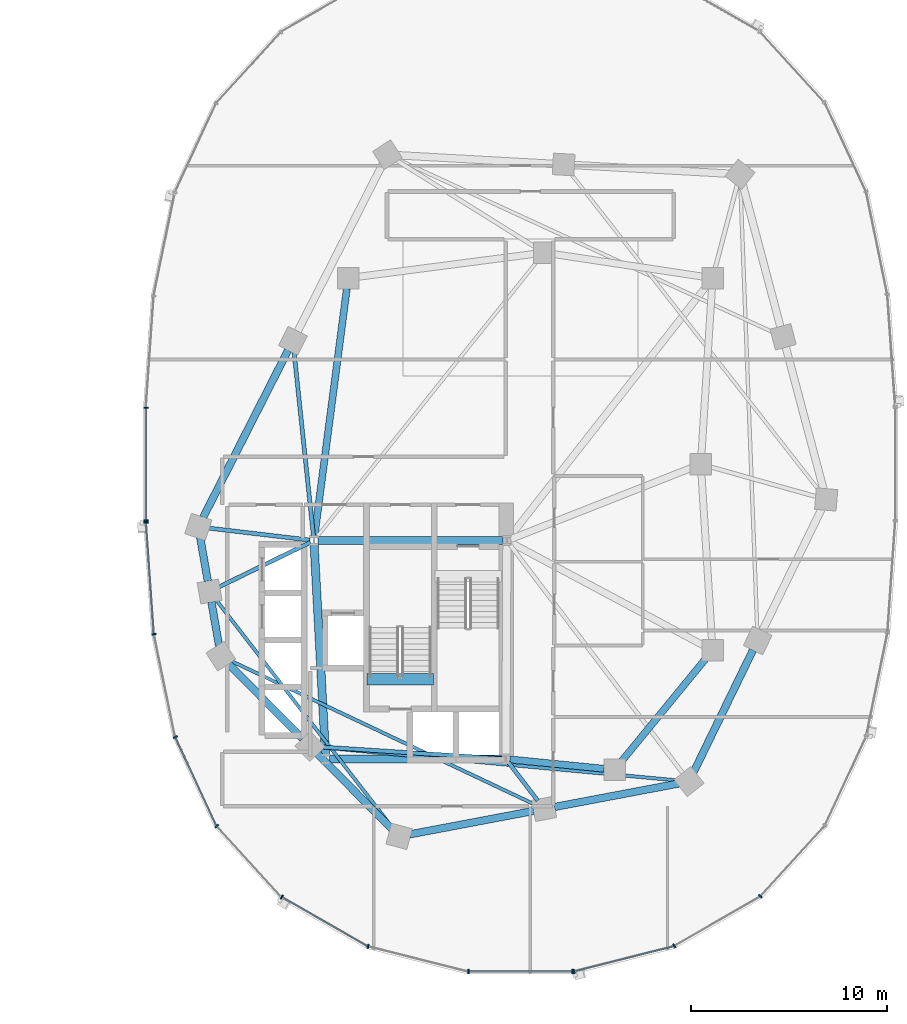
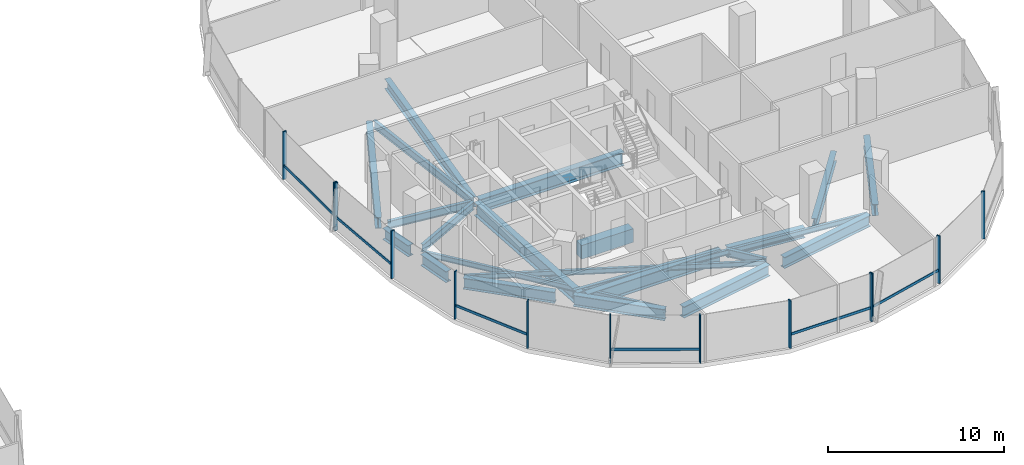
# One storey, part 5 of 21: 23 beams, 19 members, 3 elements without a shape of their own.
"""IFC4 building model written with IfcOpenShell, lengths in metres."""

from ifc_helpers import new_model, si_unit, direction, frame, origin, origin_2d, place, context, subcontext, project, spatial, rectangle, i_section, extrude, material, material_profile, profile_set, type_object, element, aggregate, save


model = new_model("IFC4")

# Units and contexts
model_context = context("Model", 3, precision=1e-05, world=origin(), true_north=direction((0.0, 1.0)))
body_context = subcontext(model_context, "Body", "Model", "MODEL_VIEW")
ifc_project = project(units=[si_unit("LENGTHUNIT", "METRE"), si_unit("AREAUNIT", "SQUARE_METRE"), si_unit("VOLUMEUNIT", "CUBIC_METRE"), si_unit("PLANEANGLEUNIT", "RADIAN"), si_unit("MASSUNIT", "GRAM", prefix="KILO"), si_unit("THERMODYNAMICTEMPERATUREUNIT", "KELVIN"), si_unit("POWERUNIT", "WATT")], contexts=[model_context])

# Site, building, storey
site_placement = place(None, origin())
site = spatial("IfcSite", under=ifc_project, at=site_placement, CompositionType="ELEMENT")
building_placement = place(site_placement, origin())
building = spatial("IfcBuilding", under=site, at=building_placement, Name="Cundina Bronze Exchange", CompositionType="ELEMENT")
storey_placement = place(building_placement, frame((0.0, 0.0, 114.199951171875)))
storey = spatial("IfcBuildingStorey", under=building, at=storey_placement, Name="L29", CompositionType="ELEMENT", Elevation=114.199951171875)

# Beams
ifc_material_1 = material(Name="Concrete C60/75", Category="concrete")
ifc_material_profile_1 = material_profile(ifc_material_1, rectangle(XDim=0.60009765625, YDim=0.949951171875, at=origin_2d()), Name="RC600X950", Category="concrete")
ifc_profile_set_1 = profile_set([ifc_material_profile_1], Name="Concrete C60/75")
beam_type_1 = type_object("IfcBeamType", Name="BM-COUP-RC950", PredefinedType="LINTEL", material=ifc_profile_set_1)
beam_1_placement = place(storey_placement, frame((24.159912109375, -10.97998046875, -0.474853515625), z_axis=(1.0, 0.0, 0.0), x_axis=(0.0, 1.0, 0.0)))
element("IfcBeam", 1, at=beam_1_placement, inside=storey, type_object=beam_type_1, Name="L29 Stair E2 Landing Header Beam", PredefinedType="LINTEL", context=body_context, shape_type="SweptSolid", body=[
    extrude(rectangle(XDim=0.60009765625, YDim=0.949951171875, at=origin_2d()), origin(), (0.0, 0.0, 1.0), 3.400146484375),
])
ifc_material_2 = material(Name="Steel ASTM A992 Grade 50", Category="steel")
ifc_material_profile_2 = material_profile(ifc_material_2, i_section(OverallWidth=0.2099609375, OverallDepth=0.532958984375, WebThickness=0.01025390625, FlangeThickness=0.015625, FilletRadius=0.013916015625, at=origin_2d()), Name="W21X62", Category="steel")
ifc_profile_set_2 = profile_set([ifc_material_profile_2], Name="Steel ASTM A992 Grade 50")
beam_type_2 = type_object("IfcBeamType", Name="BM-FLR-W21B", PredefinedType="BEAM", material=ifc_profile_set_2)
beam_2_placement = place(storey_placement, frame((21.247314453125, -3.8759765625, -0.56640625), z_axis=(-0.993035701683, 0.117813815752, 0.0), x_axis=(-0.117813815752, -0.993035701683, 0.0)))
element("IfcBeam", 2, at=beam_2_placement, inside=storey, type_object=beam_type_2, Name="L29 Leg E Chordal Floor Beam 00", PredefinedType="BEAM", context=body_context, shape_type="SweptSolid", body=[
    extrude(i_section(OverallWidth=0.2099609375, OverallDepth=0.532958984375, WebThickness=0.01025390625, FlangeThickness=0.015625, FilletRadius=0.013916015625, at=origin_2d()), origin(), (0.0, 0.0, 1.0), 5.19921875),
])
beam_3_placement = place(storey_placement, frame((21.2666015625, -3.989501953125, -0.56640625), z_axis=(-0.898607246385, -0.438753936443, 0.0), x_axis=(0.438753936443, -0.898607246385, 0.0)))
element("IfcBeam", 3, at=beam_3_placement, inside=storey, type_object=beam_type_2, Name="L29 Leg E Chordal Floor Beam 01", PredefinedType="BEAM", context=body_context, shape_type="SweptSolid", body=[
    extrude(i_section(OverallWidth=0.2099609375, OverallDepth=0.532958984375, WebThickness=0.01025390625, FlangeThickness=0.015625, FilletRadius=0.013916015625, at=origin_2d()), origin(), (0.0, 0.0, 1.0), 5.183837890625),
])
beam_4_placement = place(storey_placement, frame((31.04638671875, -15.036865234375, -0.56640625), z_axis=(-0.997892901568, 0.064882640211, 0.0), x_axis=(-0.064882640211, -0.997892901568, 0.0)))
element("IfcBeam", 4, at=beam_4_placement, inside=storey, type_object=beam_type_2, Name="L29 Leg E Chordal Floor Beam 03", PredefinedType="BEAM", context=body_context, shape_type="SweptSolid", body=[
    extrude(i_section(OverallWidth=0.2099609375, OverallDepth=0.532958984375, WebThickness=0.01025390625, FlangeThickness=0.015625, FilletRadius=0.013916015625, at=origin_2d()), origin(), (0.0, 0.0, 1.0), 9.279052734375),
])
beam_5_placement = place(storey_placement, frame((31.373779296875, -15.2119140625, -0.56640625), z_axis=(0.607490490457, -0.79432695032, 0.0), x_axis=(0.79432695032, 0.607490490457, 0.0)))
element("IfcBeam", 5, at=beam_5_placement, inside=storey, type_object=beam_type_2, Name="L29 Leg E Chordal Floor Beam 05", PredefinedType="BEAM", context=body_context, shape_type="SweptSolid", body=[
    extrude(i_section(OverallWidth=0.2099609375, OverallDepth=0.532958984375, WebThickness=0.01025390625, FlangeThickness=0.015625, FilletRadius=0.013916015625, at=origin_2d()), origin(), (0.0, 0.0, 1.0), 2.46826171875),
])
beam_6_placement = place(storey_placement, frame((21.4287109375, -3.697021484375, -0.56640625), z_axis=(-0.104822364957, 0.994490961148, 0.0), x_axis=(-0.994490961148, -0.104822364957, 0.0)))
element("IfcBeam", 6, at=beam_6_placement, inside=storey, type_object=beam_type_2, Name="L29 Leg E Chordal Floor Beam 13", PredefinedType="BEAM", context=body_context, shape_type="SweptSolid", body=[
    extrude(i_section(OverallWidth=0.2099609375, OverallDepth=0.532958984375, WebThickness=0.01025390625, FlangeThickness=0.015625, FilletRadius=0.013916015625, at=origin_2d()), origin(), (0.0, 0.0, 1.0), 9.514404296875),
])
ifc_material_profile_3 = material_profile(ifc_material_2, i_section(OverallWidth=0.172119140625, OverallDepth=0.35791015625, WebThickness=0.0078125, FlangeThickness=0.01318359375, FilletRadius=0.010009765625, at=origin_2d()), Name="W14X38", Category="steel")
ifc_profile_set_3 = profile_set([ifc_material_profile_3], Name="Steel ASTM A992 Grade 50")
beam_type_3 = type_object("IfcBeamType", Name="BM-JST-W14", PredefinedType="JOIST", material=ifc_profile_set_3)
beam_7_placement = place(storey_placement, frame((16.454345703125, -6.92529296875, -0.47900390625), z_axis=(0.612065218806, -0.790807288742, 0.0), x_axis=(0.790807288742, 0.612065218806, 0.0)))
element("IfcBeam", 7, at=beam_7_placement, inside=storey, type_object=beam_type_3, Name="L29 Leg E Lobe Floor Joist 01-04", PredefinedType="JOIST", context=body_context, shape_type="SweptSolid", body=[
    extrude(i_section(OverallWidth=0.172119140625, OverallDepth=0.35791015625, WebThickness=0.0078125, FlangeThickness=0.01318359375, FilletRadius=0.010009765625, at=origin_2d()), origin(), (0.0, 0.0, 1.0), 14.73095703125),
])
beam_8_placement = place(storey_placement, frame((17.186279296875, -10.02978515625, -0.47900390625), z_axis=(0.904069270633, -0.427385954259, 0.0), x_axis=(0.427385954259, 0.904069270633, 0.0)))
element("IfcBeam", 8, at=beam_8_placement, inside=storey, type_object=beam_type_3, Name="L29 Leg E Lobe Floor Joist 02-05", PredefinedType="JOIST", context=body_context, shape_type="SweptSolid", body=[
    extrude(i_section(OverallWidth=0.172119140625, OverallDepth=0.35791015625, WebThickness=0.0078125, FlangeThickness=0.01318359375, FilletRadius=0.010009765625, at=origin_2d()), origin(), (0.0, 0.0, 1.0), 17.175048828125),
])
beam_9_placement = place(storey_placement, frame((21.78564453125, -14.44970703125, -0.47900390625), z_axis=(0.995700674022, -0.092629194921, 0.0), x_axis=(0.092629194921, 0.995700674022, 0.0)))
element("IfcBeam", 9, at=beam_9_placement, inside=storey, type_object=beam_type_3, Name="L29 Leg E Lobe Floor Joist 03-06", PredefinedType="JOIST", context=body_context, shape_type="SweptSolid", body=[
    extrude(i_section(OverallWidth=0.172119140625, OverallDepth=0.35791015625, WebThickness=0.0078125, FlangeThickness=0.01318359375, FilletRadius=0.010009765625, at=origin_2d()), origin(), (0.0, 0.0, 1.0), 18.357421875),
])
ifc_material_profile_4 = material_profile(ifc_material_2, i_section(OverallWidth=0.35498046875, OverallDepth=0.695068359375, WebThickness=0.015380859375, FlangeThickness=0.02490234375, FilletRadius=0.01806640625, at=origin_2d()), Name="W27X146", Category="steel")
ifc_profile_set_4 = profile_set([ifc_material_profile_4], Name="Steel ASTM A992 Grade 50")
beam_type_4 = type_object("IfcBeamType", Name="BM-RING-W27", PredefinedType="USERDEFINED", material=ifc_profile_set_4)
beam_10_placement = place(storey_placement, frame((31.452880859375, -15.070068359375, -0.6474609375), z_axis=(0.995126271817, -0.098608839051, 0.0), x_axis=(0.098608839051, 0.995126271817, 0.0)))
element("IfcBeam", 10, at=beam_10_placement, inside=storey, type_object=beam_type_4, Name="L29 E Inner Structural Ring Girder 01", ObjectType="GIRDER", PredefinedType="USERDEFINED", context=body_context, shape_type="SweptSolid", body=[
    extrude(i_section(OverallWidth=0.35498046875, OverallDepth=0.695068359375, WebThickness=0.015380859375, FlangeThickness=0.02490234375, FilletRadius=0.01806640625, at=origin_2d()), origin(), (0.0, 0.0, 1.0), 4.83544921875),
])
beam_11_placement = place(storey_placement, frame((37.14111328125, -15.183837890625, -0.6474609375), z_axis=(0.633926549035, 0.773393257295, 0.0), x_axis=(-0.773393257295, 0.633926549035, 0.0)))
element("IfcBeam", 11, at=beam_11_placement, inside=storey, type_object=beam_type_4, Name="L29 E Inner Structural Ring Girder 02", ObjectType="GIRDER", PredefinedType="USERDEFINED", context=body_context, shape_type="SweptSolid", body=[
    extrude(i_section(OverallWidth=0.35498046875, OverallDepth=0.695068359375, WebThickness=0.015380859375, FlangeThickness=0.02490234375, FilletRadius=0.01806640625, at=origin_2d()), origin(), (0.0, 0.0, 1.0), 6.811279296875),
])
beam_12_placement = place(storey_placement, frame((23.13037109375, 8.966552734375, -0.6474609375), z_axis=(-0.129507526533, -0.99157843894, 0.0), x_axis=(0.99157843894, -0.129507526533, 0.0)))
element("IfcBeam", 12, at=beam_12_placement, inside=storey, type_object=beam_type_4, Name="L29 E Inner Structural Ring Girder 07", ObjectType="GIRDER", PredefinedType="USERDEFINED", context=body_context, shape_type="SweptSolid", body=[
    extrude(i_section(OverallWidth=0.35498046875, OverallDepth=0.695068359375, WebThickness=0.015380859375, FlangeThickness=0.02490234375, FilletRadius=0.01806640625, at=origin_2d()), origin(), (0.0, 0.0, 1.0), 12.77197265625),
])
ifc_material_profile_5 = material_profile(ifc_material_2, i_section(OverallWidth=0.381103515625, OverallDepth=0.77294921875, WebThickness=0.0166015625, FlangeThickness=0.027099609375, FilletRadius=0.01904296875, at=origin_2d()), Name="W30X173", Category="steel")
ifc_profile_set_5 = profile_set([ifc_material_profile_5], Name="Steel ASTM A992 Grade 50")
beam_type_5 = type_object("IfcBeamType", Name="BM-RING-W30", PredefinedType="USERDEFINED", material=ifc_profile_set_5)
for number, where, z_axis, x_axis, name in (
    (13, (15.642333984375, -3.72998046875, -0.6865234375), (0.171690078326, -0.985151012284, 0.0), (0.985151012284, 0.171690078326, 0.0), "L29 E Perimeter Ring Girder 00"),
    (14, (16.21728515625, -7.030029296875, -0.6865234375), (0.171690078326, -0.985151012284, 0.0), (0.985151012284, 0.171690078326, 0.0), "L29 E Perimeter Ring Girder 01"),
):
    element("IfcBeam", number, at=place(storey_placement, frame(where, z_axis=z_axis, x_axis=x_axis)), inside=storey, type_object=beam_type_5, Name=name, ObjectType="GIRDER", PredefinedType="USERDEFINED", context=body_context, shape_type="SweptSolid", body=[
        extrude(i_section(OverallWidth=0.381103515625, OverallDepth=0.77294921875, WebThickness=0.0166015625, FlangeThickness=0.027099609375, FilletRadius=0.01904296875, at=origin_2d()), origin(), (0.0, 0.0, 1.0), 2.273681640625),
    ])
for number, where, z_axis, x_axis, name in (
    (15, (17.078369140625, -10.1826171875, -0.6865234375), (0.703226342126, -0.7109660412, 0.0), (0.7109660412, 0.703226342126, 0.0), "L29 E Perimeter Ring Girder 02"),
    (16, (21.62841796875, -14.782470703125, -0.6865234375), (0.703226342126, -0.7109660412, 0.0), (0.7109660412, 0.703226342126, 0.0), "L29 E Perimeter Ring Girder 03"),
):
    element("IfcBeam", number, at=place(storey_placement, frame(where, z_axis=z_axis, x_axis=x_axis)), inside=storey, type_object=beam_type_5, Name=name, ObjectType="GIRDER", PredefinedType="USERDEFINED", context=body_context, shape_type="SweptSolid", body=[
        extrude(i_section(OverallWidth=0.381103515625, OverallDepth=0.77294921875, WebThickness=0.0166015625, FlangeThickness=0.027099609375, FilletRadius=0.01904296875, at=origin_2d()), origin(), (0.0, 0.0, 1.0), 5.39404296875),
    ])
for number, where, z_axis, x_axis, name in (
    (17, (26.32861328125, -18.89990234375, -0.6865234375), (0.98257117919, 0.185886733861, 0.0), (-0.185886733861, 0.98257117919, 0.0), "L29 E Perimeter Ring Girder 04"),
    (18, (33.728515625, -17.5, -0.6865234375), (0.98257117919, 0.185886733861, 0.0), (-0.185886733861, 0.98257117919, 0.0), "L29 E Perimeter Ring Girder 05"),
):
    element("IfcBeam", number, at=place(storey_placement, frame(where, z_axis=z_axis, x_axis=x_axis)), inside=storey, type_object=beam_type_5, Name=name, ObjectType="GIRDER", PredefinedType="USERDEFINED", context=body_context, shape_type="SweptSolid", body=[
        extrude(i_section(OverallWidth=0.381103515625, OverallDepth=0.77294921875, WebThickness=0.0166015625, FlangeThickness=0.027099609375, FilletRadius=0.01904296875, at=origin_2d()), origin(), (0.0, 0.0, 1.0), 6.455322265625),
    ])
beam_13_placement = place(storey_placement, frame((40.835205078125, -15.716064453125, -0.6865234375), z_axis=(0.437193894283, 0.899367276924, 0.0), x_axis=(-0.899367276924, 0.437193894283, 0.0)))
element("IfcBeam", 19, at=beam_13_placement, inside=storey, type_object=beam_type_5, Name="L29 E Perimeter Ring Girder 06", ObjectType="GIRDER", PredefinedType="USERDEFINED", context=body_context, shape_type="SweptSolid", body=[
    extrude(i_section(OverallWidth=0.381103515625, OverallDepth=0.77294921875, WebThickness=0.0166015625, FlangeThickness=0.027099609375, FilletRadius=0.01904296875, at=origin_2d()), origin(), (0.0, 0.0, 1.0), 6.929443359375),
])
beam_14_placement = place(storey_placement, frame((20.13134765625, 5.8203125, -0.6865234375), z_axis=(-0.452832332744, -0.891595692241, 0.0), x_axis=(0.891595692241, -0.452832332744, 0.0)))
element("IfcBeam", 20, at=beam_14_placement, inside=storey, type_object=beam_type_5, Name="L29 E Perimeter Ring Girder 13", ObjectType="GIRDER", PredefinedType="USERDEFINED", context=body_context, shape_type="SweptSolid", body=[
    extrude(i_section(OverallWidth=0.381103515625, OverallDepth=0.77294921875, WebThickness=0.0166015625, FlangeThickness=0.027099609375, FilletRadius=0.01904296875, at=origin_2d()), origin(), (0.0, 0.0, 1.0), 9.578857421875),
])
ifc_material_profile_6 = material_profile(ifc_material_2, i_section(OverallWidth=0.41796875, OverallDepth=0.927001953125, WebThickness=0.019287109375, FlangeThickness=0.031982421875, FilletRadius=0.02392578125, at=origin_2d()), Name="W36X231", Category="steel")
ifc_profile_set_6 = profile_set([ifc_material_profile_6], Name="Steel ASTM A992 Grade 50")
beam_type_6 = type_object("IfcBeamType", Name="BM-WRN-W36B", PredefinedType="USERDEFINED", material=ifc_profile_set_6)
beam_15_placement = place(storey_placement, frame((31.095947265625, -3.89990234375, -0.763427734375), z_axis=(-1.0, 0.0, 0.0), x_axis=(0.0, -1.0, 0.0)))
element("IfcBeam", 21, at=beam_15_placement, inside=storey, type_object=beam_type_6, Name="L29 E Core Perimeter Tie Girder 1", ObjectType="GIRDER", PredefinedType="USERDEFINED", context=body_context, shape_type="SweptSolid", body=[
    extrude(i_section(OverallWidth=0.41796875, OverallDepth=0.927001953125, WebThickness=0.019287109375, FlangeThickness=0.031982421875, FilletRadius=0.02392578125, at=origin_2d()), origin(), (0.0, 0.0, 1.0), 9.44189453125),
])
beam_16_placement = place(storey_placement, frame((21.4609375, -4.103759765625, -0.763427734375), z_axis=(0.053739193498, -0.998555005537, 0.0), x_axis=(0.998555005537, 0.053739193498, 0.0)))
element("IfcBeam", 22, at=beam_16_placement, inside=storey, type_object=beam_type_6, Name="L29 E Core Perimeter Tie Girder 2", ObjectType="GIRDER", PredefinedType="USERDEFINED", context=body_context, shape_type="SweptSolid", body=[
    extrude(i_section(OverallWidth=0.41796875, OverallDepth=0.927001953125, WebThickness=0.019287109375, FlangeThickness=0.031982421875, FilletRadius=0.02392578125, at=origin_2d()), origin(), (0.0, 0.0, 1.0), 10.758056640625),
])
beam_17_placement = place(storey_placement, frame((22.25390625, -15.050048828125, -0.763427734375), z_axis=(1.0, 0.0, 0.0), x_axis=(0.0, 1.0, 0.0)))
element("IfcBeam", 23, at=beam_17_placement, inside=storey, type_object=beam_type_6, Name="L29 E Core Perimeter Tie Girder 3", ObjectType="GIRDER", PredefinedType="USERDEFINED", context=body_context, shape_type="SweptSolid", body=[
    extrude(i_section(OverallWidth=0.41796875, OverallDepth=0.927001953125, WebThickness=0.019287109375, FlangeThickness=0.031982421875, FilletRadius=0.02392578125, at=origin_2d()), origin(), (0.0, 0.0, 1.0), 8.7919921875),
])

# Curtain wall, members
ifc_material_3 = material(Name="Anodised Bronze Aluminium 6063-T6", Category="aluminium")
curtain_wall_type = type_object("IfcCurtainWallType", Name="CWS-TRD-MID", PredefinedType="NOTDEFINED", material=ifc_material_3)
curtain_wall_1_placement = place(storey_placement, origin())
curtain_wall_1 = element("IfcCurtainWall", 24, at=curtain_wall_1_placement, inside=storey, type_object=curtain_wall_type, Name="L29 CW-03 Curtain Wall Run CWR-L29-E2", PredefinedType="NOTDEFINED")
ifc_material_profile_7 = material_profile(ifc_material_3, rectangle(XDim=0.074951171875, YDim=0.219970703125, at=origin_2d()), Name="AL75X220", Category="aluminium")
ifc_profile_set_7 = profile_set([ifc_material_profile_7], Name="Anodised Bronze Aluminium 6063-T6")
member_type_1 = type_object("IfcMemberType", Name="CWM-MUL-220", PredefinedType="MULLION", material=ifc_profile_set_7)
member_1_placement = place(storey_placement, frame((12.8720703125, 2.880615234375, 0.0), z_axis=(0.0, 0.0, 1.0), x_axis=(0.0, -1.0, 0.0)))
member_1 = element("IfcMember", 25, at=member_1_placement, type_object=member_type_1, Name="CW-03 Mullion 7", PredefinedType="MULLION", context=body_context, shape_type="SweptSolid", body=[
    extrude(rectangle(XDim=0.074951171875, YDim=0.219970703125, at=origin_2d()), origin(), (0.0, 0.0, 1.0), 3.300048828125),
])
member_2_placement = place(storey_placement, frame((12.8720703125, -2.880615234375, 0.0), z_axis=(0.0, 0.0, 1.0), x_axis=(0.0, -1.0, 0.0)))
member_2 = element("IfcMember", 26, at=member_2_placement, type_object=member_type_1, Name="CW-03 End Mullion", PredefinedType="MULLION", context=body_context, shape_type="SweptSolid", body=[
    extrude(rectangle(XDim=0.074951171875, YDim=0.219970703125, at=origin_2d()), origin(), (0.0, 0.0, 1.0), 3.300048828125),
])

curtain_wall_2_placement = place(storey_placement, origin())
curtain_wall_2 = element("IfcCurtainWall", 27, at=curtain_wall_2_placement, inside=storey, type_object=curtain_wall_type, Name="L29 CW-03 Curtain Wall Run CWR-L29-E3", PredefinedType="NOTDEFINED")
member_3_placement = place(storey_placement, frame((12.87548828125, -2.976318359375, 0.0), z_axis=(0.0, 0.0, 1.0), x_axis=(0.070278787473, -0.997527389113, 0.0)))
member_3 = element("IfcMember", 28, at=member_3_placement, type_object=member_type_1, Name="CW-03 Mullion 1", PredefinedType="MULLION", context=body_context, shape_type="SweptSolid", body=[
    extrude(rectangle(XDim=0.074951171875, YDim=0.219970703125, at=origin_2d()), origin(), (0.0, 0.0, 1.0), 3.300048828125),
])
member_4_placement = place(storey_placement, frame((13.282958984375, -8.67822265625, 0.0), z_axis=(0.0, 0.0, 1.0), x_axis=(0.201419845156, -0.979505000486, 0.0)))
member_4 = element("IfcMember", 29, at=member_4_placement, type_object=member_type_1, Name="CW-03 Mullion 2", PredefinedType="MULLION", context=body_context, shape_type="SweptSolid", body=[
    extrude(rectangle(XDim=0.074951171875, YDim=0.219970703125, at=origin_2d()), origin(), (0.0, 0.0, 1.0), 3.300048828125),
])
member_5_placement = place(storey_placement, frame((14.3720703125, -13.931884765625, 0.0), z_axis=(0.0, 0.0, 1.0), x_axis=(0.42087749791, -0.907117485088, 0.0)))
member_5 = element("IfcMember", 30, at=member_5_placement, type_object=member_type_1, Name="CW-03 Mullion 3", PredefinedType="MULLION", context=body_context, shape_type="SweptSolid", body=[
    extrude(rectangle(XDim=0.074951171875, YDim=0.219970703125, at=origin_2d()), origin(), (0.0, 0.0, 1.0), 3.300048828125),
])
member_6_placement = place(storey_placement, frame((16.491455078125, -18.47705078125, 0.0), z_axis=(0.0, 0.0, 1.0), x_axis=(0.674302387584, -0.738455340626, 0.0)))
member_6 = element("IfcMember", 31, at=member_6_placement, type_object=member_type_1, Name="CW-03 Mullion 4", PredefinedType="MULLION", context=body_context, shape_type="SweptSolid", body=[
    extrude(rectangle(XDim=0.074951171875, YDim=0.219970703125, at=origin_2d()), origin(), (0.0, 0.0, 1.0), 3.300048828125),
])
member_7_placement = place(storey_placement, frame((19.810302734375, -22.097412109375, 0.0), z_axis=(0.0, 0.0, 1.0), x_axis=(0.867070701164, -0.498185105339, 0.0)))
member_7 = element("IfcMember", 32, at=member_7_placement, type_object=member_type_1, Name="CW-03 Mullion 5", PredefinedType="MULLION", context=body_context, shape_type="SweptSolid", body=[
    extrude(rectangle(XDim=0.074951171875, YDim=0.219970703125, at=origin_2d()), origin(), (0.0, 0.0, 1.0), 3.300048828125),
])
member_8_placement = place(storey_placement, frame((24.21484375, -24.61669921875, 0.0), z_axis=(0.0, 0.0, 1.0), x_axis=(0.969488149345, -0.245138182011, 0.0)))
member_8 = element("IfcMember", 33, at=member_8_placement, type_object=member_type_1, Name="CW-03 Mullion 6", PredefinedType="MULLION", context=body_context, shape_type="SweptSolid", body=[
    extrude(rectangle(XDim=0.074951171875, YDim=0.219970703125, at=origin_2d()), origin(), (0.0, 0.0, 1.0), 3.300048828125),
])
member_9_placement = place(storey_placement, frame((29.345458984375, -25.905029296875, 0.0), z_axis=(0.0, 0.0, 1.0), x_axis=(1.0, 0.0, 0.0)))
member_9 = element("IfcMember", 34, at=member_9_placement, type_object=member_type_1, Name="CW-03 Mullion 7", PredefinedType="MULLION", context=body_context, shape_type="SweptSolid", body=[
    extrude(rectangle(XDim=0.074951171875, YDim=0.219970703125, at=origin_2d()), origin(), (0.0, 0.0, 1.0), 3.300048828125),
])
member_10_placement = place(storey_placement, frame((34.654541015625, -25.905029296875, 0.0), z_axis=(0.0, 0.0, 1.0), x_axis=(1.0, 0.0, 0.0)))
member_10 = element("IfcMember", 35, at=member_10_placement, type_object=member_type_1, Name="CW-03 End Mullion", PredefinedType="MULLION", context=body_context, shape_type="SweptSolid", body=[
    extrude(rectangle(XDim=0.074951171875, YDim=0.219970703125, at=origin_2d()), origin(), (0.0, 0.0, 1.0), 3.300048828125),
])

curtain_wall_3_placement = place(storey_placement, origin())
curtain_wall_3 = element("IfcCurtainWall", 36, at=curtain_wall_3_placement, inside=storey, type_object=curtain_wall_type, Name="L29 CW-03 Curtain Wall Run CWR-L29-E4", PredefinedType="NOTDEFINED")
member_11_placement = place(storey_placement, frame((34.72607421875, -25.89599609375, 0.0), z_axis=(0.0, 0.0, 1.0), x_axis=(0.969488149345, 0.245138182011, 0.0)))
member_11 = element("IfcMember", 37, at=member_11_placement, type_object=member_type_1, Name="CW-03 Mullion 1", PredefinedType="MULLION", context=body_context, shape_type="SweptSolid", body=[
    extrude(rectangle(XDim=0.074951171875, YDim=0.219970703125, at=origin_2d()), origin(), (0.0, 0.0, 1.0), 3.300048828125),
])
member_12_placement = place(storey_placement, frame((39.848876953125, -24.591064453125, 0.0), z_axis=(0.0, 0.0, 1.0), x_axis=(0.867070701164, 0.498185105339, 0.0)))
member_12 = element("IfcMember", 38, at=member_12_placement, type_object=member_type_1, Name="CW-03 Mullion 2", PredefinedType="MULLION", context=body_context, shape_type="SweptSolid", body=[
    extrude(rectangle(XDim=0.074951171875, YDim=0.219970703125, at=origin_2d()), origin(), (0.0, 0.0, 1.0), 3.300048828125),
])
member_13_placement = place(storey_placement, frame((44.239501953125, -22.0576171875, 0.0), z_axis=(0.0, 0.0, 1.0), x_axis=(0.674302387584, 0.738455340626, 0.0)))
member_13 = element("IfcMember", 39, at=member_13_placement, type_object=member_type_1, Name="CW-03 Mullion 3", PredefinedType="MULLION", context=body_context, shape_type="SweptSolid", body=[
    extrude(rectangle(XDim=0.074951171875, YDim=0.219970703125, at=origin_2d()), origin(), (0.0, 0.0, 1.0), 3.300048828125),
])

# Member
ifc_material_profile_8 = material_profile(ifc_material_3, rectangle(XDim=0.070068359375, YDim=0.179931640625, at=origin_2d()), Name="AL70X180", Category="aluminium")
ifc_profile_set_8 = profile_set([ifc_material_profile_8], Name="Anodised Bronze Aluminium 6063-T6")
member_type_2 = type_object("IfcMemberType", Name="CWM-TRN-180", PredefinedType="USERDEFINED", material=ifc_profile_set_8)
member_14_placement = place(storey_placement, frame((12.8720703125, 2.839111328125, 0.920166015625), z_axis=(0.0, -1.0, 0.0), x_axis=(1.0, 0.0, 0.0)))
member_14 = element("IfcMember", 40, at=member_14_placement, type_object=member_type_2, Name="CW-03 Spandrel Transom 7", ObjectType="TRANSOM", PredefinedType="USERDEFINED", context=body_context, shape_type="SweptSolid", body=[
    extrude(rectangle(XDim=0.070068359375, YDim=0.179931640625, at=origin_2d()), origin(), (0.0, 0.0, 1.0), 5.67822265625),
])

aggregate(curtain_wall_1, [member_1, member_2, member_14])

member_15_placement = place(storey_placement, frame((12.87841796875, -3.017333984375, 0.920166015625), z_axis=(0.070260714471, -0.997528662246, 0.0), x_axis=(0.997528662246, 0.070260714471, 0.0)))
member_15 = element("IfcMember", 41, at=member_15_placement, type_object=member_type_2, Name="CW-03 Spandrel Transom 1", ObjectType="TRANSOM", PredefinedType="USERDEFINED", context=body_context, shape_type="SweptSolid", body=[
    extrude(rectangle(XDim=0.070068359375, YDim=0.179931640625, at=origin_2d()), origin(), (0.0, 0.0, 1.0), 5.629150390625),
])

member_16_placement = place(storey_placement, frame((14.389404296875, -13.96923828125, 0.920166015625), z_axis=(0.420811422796, -0.907148139195, 0.0), x_axis=(0.907148139195, 0.420811422796, 0.0)))
member_16 = element("IfcMember", 42, at=member_16_placement, type_object=member_type_2, Name="CW-03 Spandrel Transom 3", ObjectType="TRANSOM", PredefinedType="USERDEFINED", context=body_context, shape_type="SweptSolid", body=[
    extrude(rectangle(XDim=0.070068359375, YDim=0.179931640625, at=origin_2d()), origin(), (0.0, 0.0, 1.0), 4.95166015625),
])

member_17_placement = place(storey_placement, frame((19.845947265625, -22.117919921875, 0.920166015625), z_axis=(0.867097475651, -0.498138502546, 0.0), x_axis=(0.498138502546, 0.867097475651, 0.0)))
member_17 = element("IfcMember", 43, at=member_17_placement, type_object=member_type_2, Name="CW-03 Spandrel Transom 5", ObjectType="TRANSOM", PredefinedType="USERDEFINED", context=body_context, shape_type="SweptSolid", body=[
    extrude(rectangle(XDim=0.070068359375, YDim=0.179931640625, at=origin_2d()), origin(), (0.0, 0.0, 1.0), 5.00634765625),
])

member_18_placement = place(storey_placement, frame((29.38671875, -25.905029296875, 0.920166015625), z_axis=(1.0, 0.0, 0.0), x_axis=(0.0, 1.0, 0.0)))
member_18 = element("IfcMember", 44, at=member_18_placement, type_object=member_type_2, Name="CW-03 Spandrel Transom 7", ObjectType="TRANSOM", PredefinedType="USERDEFINED", context=body_context, shape_type="SweptSolid", body=[
    extrude(rectangle(XDim=0.070068359375, YDim=0.179931640625, at=origin_2d()), origin(), (0.0, 0.0, 1.0), 5.2265625),
])

aggregate(curtain_wall_2, [member_3, member_15, member_4, member_5, member_16, member_6, member_7, member_17, member_8, member_9, member_10, member_18])

member_19_placement = place(storey_placement, frame((34.76611328125, -25.885986328125, 0.920166015625), z_axis=(0.969483968866, 0.245154714644, 0.0), x_axis=(-0.245154714644, 0.969483968866, 0.0)))
member_19 = element("IfcMember", 45, at=member_19_placement, type_object=member_type_2, Name="CW-03 Spandrel Transom 1", ObjectType="TRANSOM", PredefinedType="USERDEFINED", context=body_context, shape_type="SweptSolid", body=[
    extrude(rectangle(XDim=0.070068359375, YDim=0.179931640625, at=origin_2d()), origin(), (0.0, 0.0, 1.0), 5.21826171875),
])

aggregate(curtain_wall_3, [member_11, member_19, member_12, member_13])

save(model, "model.ifc")
